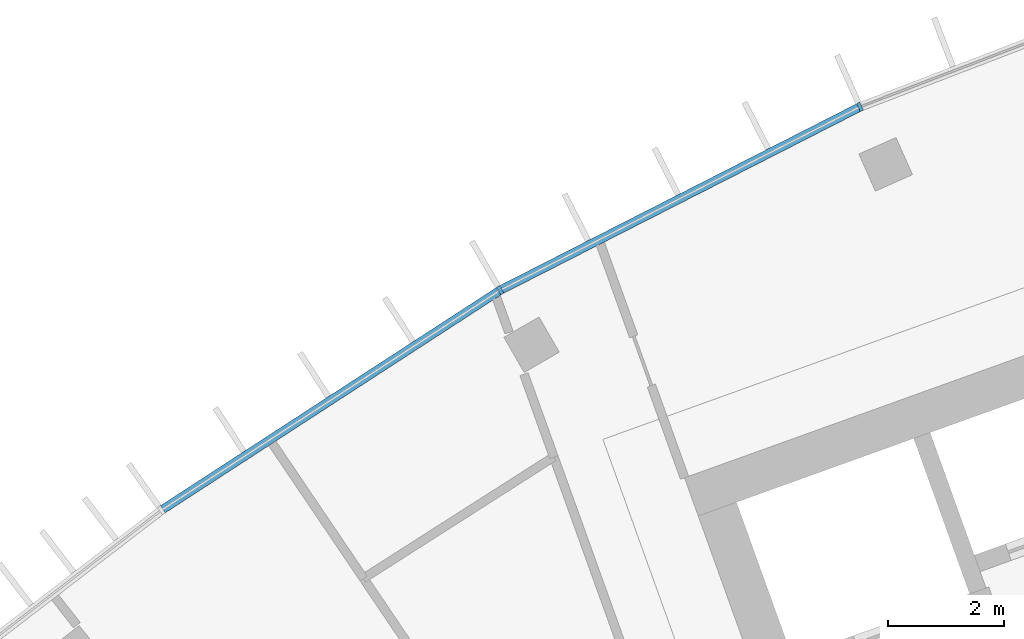
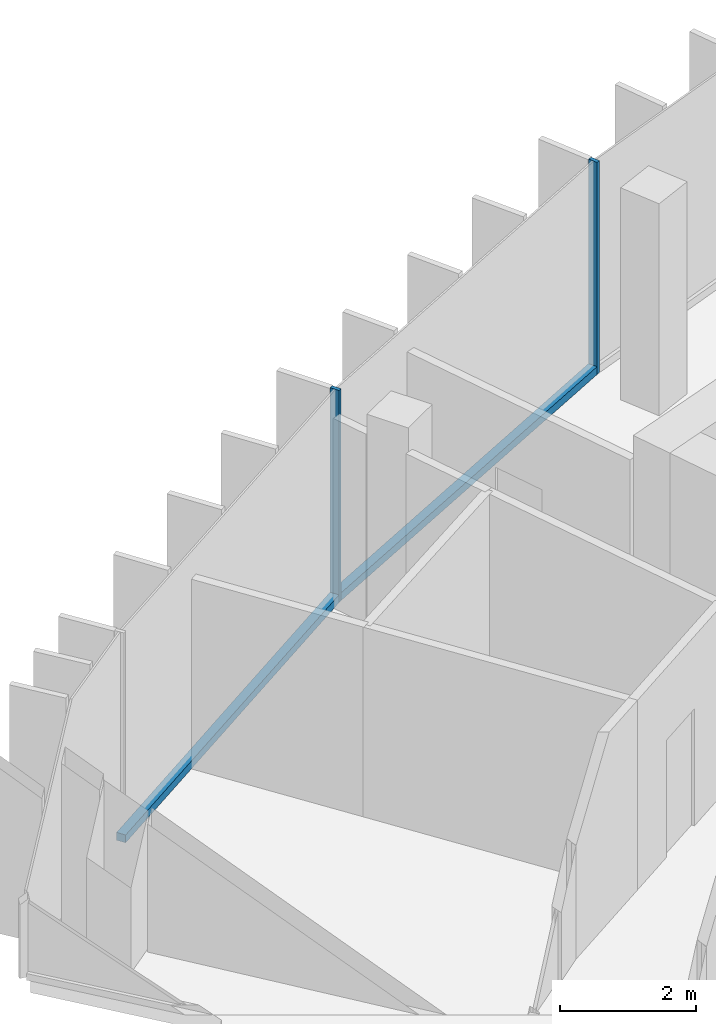
# One storey, part 4 of 19: 4 members, 1 element without a shape of its own.
"""IFC4 building model written with IfcOpenShell, lengths in metres."""

import ifcopenshell
import ifcopenshell.guid

model = None  # the IFC model being written
_history = None  # IfcOwnerHistory: only IFC2X3 demands one
_inside = {}  # id of a spatial element -> (the spatial element, [elements in it])
_under = {}  # id of a project, library or spatial element -> (it, [spatial elements below it])
_declared = {}  # id of a project -> (the project, [libraries it declares])
_typed = {}  # id of a type object -> (the type object, [elements of that type])
_made_of = {}  # id of a material, layer set ... -> (it, [elements and type objects made of it])


def new_model(schema):
    """Start an empty IFC model of exactly this schema.

    Asked for "IFC4X3", IfcOpenShell would pick the latest addendum, in which some entities
    have other attributes; the version numbers below select the first issue.
    IFC2X3 requires an IfcOwnerHistory on every rooted entity: one is made here for all.
    """
    global model, _history
    if schema == "IFC4X3":
        model = ifcopenshell.file(schema_version=(4, 3, 0, 0))
    else:
        model = ifcopenshell.file(schema=schema)
    _inside.clear()
    _under.clear()
    _declared.clear()
    _typed.clear()
    _made_of.clear()
    _history = None
    if model.schema == "IFC2X3":
        org = make("IfcOrganization", Name="unknown")
        user = make(
            "IfcPersonAndOrganization",
            ThePerson=make("IfcPerson", FamilyName="unknown"),
            TheOrganization=org,
        )
        app = make(
            "IfcApplication",
            ApplicationDeveloper=org,
            Version="unknown",
            ApplicationFullName="unknown",
            ApplicationIdentifier="unknown",
        )
        _history = make(
            "IfcOwnerHistory",
            OwningUser=user,
            OwningApplication=app,
            ChangeAction="ADDED",
            CreationDate=0,
        )
    return model


def make(cls, **values):
    """One entity of the class cls with the attributes given. An attribute that is None is left unset."""
    return model.create_entity(
        cls, **{name: value for name, value in values.items() if value is not None}
    )


def rooted(cls, **values):
    """An entity with a GlobalId (a new one), such as an element, a storey or a relation."""
    return make(cls, GlobalId=ifcopenshell.guid.new(), OwnerHistory=_history, **values)


def si_unit(unit_type, name, prefix=None):
    """IfcSIUnit, for example si_unit("LENGTHUNIT", "METRE", prefix="MILLI")."""
    return make("IfcSIUnit", UnitType=unit_type, Prefix=prefix, Name=name)


def assignment(units):
    """IfcUnitAssignment: the units of a project."""
    return None if units is None else make("IfcUnitAssignment", Units=units)


def point(xyz):
    """IfcCartesianPoint."""
    return None if xyz is None else make("IfcCartesianPoint", Coordinates=xyz)


def direction(xyz):
    """IfcDirection."""
    return None if xyz is None else make("IfcDirection", DirectionRatios=xyz)


def frame(location, z_axis=None, x_axis=None):
    """IfcAxis2Placement3D, a coordinate frame: its origin and axes. An axis left out is left unset."""
    return make(
        "IfcAxis2Placement3D",
        Location=point(location),
        Axis=direction(z_axis),
        RefDirection=direction(x_axis),
    )


def frame_2d(location, x_axis=None):
    """IfcAxis2Placement2D, a coordinate frame in the plane: its origin and x axis."""
    return make(
        "IfcAxis2Placement2D", Location=point(location), RefDirection=direction(x_axis)
    )


def origin():
    """The frame at (0, 0, 0) with its axes left unset."""
    return frame((0.0, 0.0, 0.0))


def origin_2d():
    """The frame at (0, 0) in the plane with its x axis left unset."""
    return frame_2d((0.0, 0.0))


def place(relative_to, where):
    """IfcLocalPlacement: puts the frame where relative to a parent placement (None: the world)."""
    return make(
        "IfcLocalPlacement", PlacementRelTo=relative_to, RelativePlacement=where
    )


def context(
    kind, dimensions, precision=None, world=None, true_north=None, identifier=None
):
    """IfcGeometricRepresentationContext, for example the 3D "Model" context."""
    return make(
        "IfcGeometricRepresentationContext",
        ContextIdentifier=identifier,
        ContextType=kind,
        CoordinateSpaceDimension=dimensions,
        Precision=precision,
        WorldCoordinateSystem=world,
        TrueNorth=true_north,
    )


def subcontext(parent, identifier, kind, view, scale=None):
    """IfcGeometricRepresentationSubContext, for example "Body" below "Model"."""
    return make(
        "IfcGeometricRepresentationSubContext",
        ContextIdentifier=identifier,
        ContextType=kind,
        ParentContext=parent,
        TargetScale=scale,
        TargetView=view,
    )


def project(units=None, contexts=None):
    """IfcProject with its units and contexts."""
    return rooted(
        "IfcProject",
        Name="project",
        RepresentationContexts=contexts,
        UnitsInContext=assignment(units),
    )


def spatial(cls, under=None, at=None, **own):
    """A site, building, storey or space (cls), placed at a placement, below another one or the project."""
    s = rooted(cls, ObjectPlacement=at, **own)
    if under is not None:
        _under.setdefault(under.id(), (under, []))[1].append(s)
    return s


def profile(cls, at=None, kind="AREA", **sizes):
    """A parametric profile (cls). Its sizes go by their IFC names, for example OverallWidth=200.0."""
    return make(cls, ProfileType=kind, Position=at, **sizes)


def rectangle(**sizes):
    """IfcRectangleProfileDef."""
    return profile("IfcRectangleProfileDef", **sizes)


def extrude(swept, where, along, depth):
    """IfcExtrudedAreaSolid: the profile swept, set in the frame where, extruded along a direction by depth."""
    return make(
        "IfcExtrudedAreaSolid",
        SweptArea=swept,
        Position=where,
        ExtrudedDirection=direction(along),
        Depth=depth,
    )


def shape(context_of_items, identifier, shape_type, items):
    """IfcShapeRepresentation: the items that make up one representation, for example the "Body"."""
    return make(
        "IfcShapeRepresentation",
        ContextOfItems=context_of_items,
        RepresentationIdentifier=identifier,
        RepresentationType=shape_type,
        Items=items,
    )


def material(Name=None, Category=None):
    """IfcMaterial."""
    return make("IfcMaterial", Name=Name, Category=Category)


def layer(
    of_material, thickness, ventilated=None, Name=None, Category=None, Priority=None
):
    """IfcMaterialLayer: one layer of a wall or slab, of a material (None: an air gap)."""
    return make(
        "IfcMaterialLayer",
        Material=of_material,
        LayerThickness=thickness,
        IsVentilated=ventilated,
        Name=Name,
        Category=Category,
        Priority=Priority,
    )


def layer_set(layers, Name=None):
    """IfcMaterialLayerSet."""
    return make("IfcMaterialLayerSet", MaterialLayers=layers, LayerSetName=Name)


def material_profile(
    of_material, cross_section, Name=None, Category=None, Priority=None
):
    """IfcMaterialProfile: a cross section and its material."""
    return make(
        "IfcMaterialProfile",
        Name=Name,
        Material=of_material,
        Profile=cross_section,
        Priority=Priority,
        Category=Category,
    )


def profile_set(profiles, Name=None, composite=None):
    """IfcMaterialProfileSet."""
    return make(
        "IfcMaterialProfileSet",
        Name=Name,
        MaterialProfiles=profiles,
        CompositeProfile=composite,
    )


def made_of(thing, what):
    """Note that an element or type object is made of a material, layer set ...; save() writes the relation."""
    if what is not None:
        _made_of.setdefault(what.id(), (what, []))[1].append(thing)
    return thing


def type_object(cls, material=None, **own):
    """A type object (cls), such as IfcWallType, which elements share."""
    return made_of(rooted(cls, **own), material)


def element(
    cls,
    number,
    at=None,
    inside=None,
    cuts=None,
    type_object=None,
    material=None,
    context=None,
    identifier="Body",
    shape_type=None,
    held_by="IfcProductDefinitionShape",
    body=None,
    shapes=None,
    **own,
):
    """One element of the class cls, such as IfcWall. Its Tag is "e" and its number.

    at: its placement. inside: the storey or other place that contains it. cuts: it is an
    opening in that element (IfcRelVoidsElement). A single representation is given by context,
    identifier, shape_type and body (its items); several are given by shapes. held_by: the class
    of the entity that holds the representations. save() writes the other relations.
    """
    e = rooted(cls, Tag="e%d" % number, ObjectPlacement=at, **own)
    if body is not None:
        shapes = [shape(context, identifier, shape_type, body)]
    if shapes is not None:
        e.Representation = make(held_by, Representations=shapes)
    if inside is not None:
        _inside.setdefault(inside.id(), (inside, []))[1].append(e)
    if cuts is not None:
        rooted(
            "IfcRelVoidsElement", RelatingBuildingElement=cuts, RelatedOpeningElement=e
        )
    if type_object is not None:
        _typed.setdefault(type_object.id(), (type_object, []))[1].append(e)
    return made_of(e, material)


def aggregate(whole, parts):
    """IfcRelAggregates: a whole, such as a stair, and the parts it consists of."""
    return rooted("IfcRelAggregates", RelatingObject=whole, RelatedObjects=parts)


def save(model, path):
    """Write the relations noted so far, then the file.

    IfcRelAggregates (storeys below a building ...), IfcRelContainedInSpatialStructure (elements
    in a storey), IfcRelDefinesByType, IfcRelAssociatesMaterial and IfcRelDeclares: one each for
    every whole, place, type object, material and project.
    """
    for whole, parts in _under.values():
        aggregate(whole, parts)
    for where, things in _inside.values():
        rooted(
            "IfcRelContainedInSpatialStructure",
            RelatedElements=things,
            RelatingStructure=where,
        )
    for kind, things in _typed.values():
        rooted("IfcRelDefinesByType", RelatedObjects=things, RelatingType=kind)
    for what, things in _made_of.values():
        rooted("IfcRelAssociatesMaterial", RelatedObjects=things, RelatingMaterial=what)
    for by, libraries in _declared.values():
        rooted("IfcRelDeclares", RelatingContext=by, RelatedDefinitions=libraries)
    model.write(path)


model = new_model("IFC4")

# Units and contexts
model_context = context("Model", 3, precision=1e-05, world=origin(), true_north=direction((0.0, 1.0)))
body_context = subcontext(model_context, "Body", "Model", "MODEL_VIEW")
ifc_project = project(units=[si_unit("LENGTHUNIT", "METRE"), si_unit("AREAUNIT", "SQUARE_METRE"), si_unit("VOLUMEUNIT", "CUBIC_METRE"), si_unit("PLANEANGLEUNIT", "RADIAN"), si_unit("MASSUNIT", "GRAM", prefix="KILO")], contexts=[model_context])

# Site, building, storey
site_placement = place(None, origin())
site = spatial("IfcSite", under=ifc_project, at=site_placement, CompositionType="ELEMENT")
building_placement = place(site_placement, origin())
building = spatial("IfcBuilding", under=site, at=building_placement, Name="Stone Belt Terrace Tower", CompositionType="ELEMENT")
storey_placement = place(building_placement, frame((0.0, 0.0, 303.60009765625)))
storey = spatial("IfcBuildingStorey", under=building, at=storey_placement, Name="L74", CompositionType="ELEMENT", Elevation=303.60009765625)

# Curtain wall, members
ifc_material = material(Name="Aluminium 6063-T6 anodised frame", Category="aluminium")
ifc_layer = layer(ifc_material, 0.14990234375)
ifc_layer_set = layer_set([ifc_layer], Name="CW-A unitised convex-face curtain wall")
curtain_wall_type = type_object("IfcCurtainWallType", Name="CW-A unitised convex-face curtain wall", PredefinedType="NOTDEFINED", material=ifc_layer_set)
curtain_wall_placement = place(storey_placement, origin())
curtain_wall = element("IfcCurtainWall", 1, at=curtain_wall_placement, inside=storey, type_object=curtain_wall_type, Name="CW-A convex face L74", PredefinedType="NOTDEFINED")
ifc_material_profile_1 = material_profile(ifc_material, rectangle(XDim=0.14990234375, YDim=0.06005859375, at=origin_2d()), Name="Aluminium 6063-T6 60x150")
ifc_profile_set_1 = profile_set([ifc_material_profile_1], Name="Aluminium 6063-T6 anodised frame")
member_type_1 = type_object("IfcMemberType", Name="CW-A mullion 60 x 150", PredefinedType="MULLION", material=ifc_profile_set_1)
member_1_placement = place(storey_placement, frame((-27.07861328125, 60.8193359375, 0.0), z_axis=(0.0, 0.0, 1.0), x_axis=(0.406736643076, -0.913545457643, 0.0)))
member_1 = element("IfcMember", 2, at=member_1_placement, type_object=member_type_1, Name="CW-A mullion 12", PredefinedType="MULLION", context=body_context, shape_type="SweptSolid", body=[
    extrude(rectangle(XDim=0.14990234375, YDim=0.06005859375, at=origin_2d()), origin(), (0.0, 0.0, 1.0), 3.7998046875),
])
member_2_placement = place(storey_placement, frame((-33.28759765625, 57.65576171875, 0.0), z_axis=(0.0, 0.0, 1.0), x_axis=(0.5, -0.866025403784, 0.0)))
member_2 = element("IfcMember", 3, at=member_2_placement, type_object=member_type_1, Name="CW-A mullion 13", PredefinedType="MULLION", context=body_context, shape_type="SweptSolid", body=[
    extrude(rectangle(XDim=0.14990234375, YDim=0.06005859375, at=origin_2d()), origin(), (0.0, 0.0, 1.0), 3.7998046875),
])
ifc_material_profile_2 = material_profile(ifc_material, rectangle(XDim=0.14990234375, YDim=0.139892578125, at=origin_2d()), Name="Aluminium 6063-T6 150x140")
ifc_profile_set_2 = profile_set([ifc_material_profile_2], Name="Aluminium 6063-T6 anodised frame")
member_type_2 = type_object("IfcMemberType", Name="CW-A transom 140 x 150", PredefinedType="USERDEFINED", material=ifc_profile_set_2)
member_3_placement = place(storey_placement, frame((-27.108642578125, 60.803955078125, 0.06982421875), z_axis=(-0.891012226264, -0.453979308613, 0.0), x_axis=(0.453979308613, -0.891012226264, 0.0)))
member_3 = element("IfcMember", 4, at=member_3_placement, type_object=member_type_2, Name="CW-A transom 12.1", ObjectType="TRANSOM", PredefinedType="USERDEFINED", context=body_context, shape_type="SweptSolid", body=[
    extrude(rectangle(XDim=0.14990234375, YDim=0.139892578125, at=origin_2d()), origin(), (0.0, 0.0, 1.0), 6.90087890625),
])
member_4_placement = place(storey_placement, frame((-33.31591796875, 57.63720703125, 0.06982421875), z_axis=(-0.83868440714, -0.544617723931, 0.0), x_axis=(0.544617723931, -0.83868440714, 0.0)))
member_4 = element("IfcMember", 5, at=member_4_placement, type_object=member_type_2, Name="CW-A transom 13.1", ObjectType="TRANSOM", PredefinedType="USERDEFINED", context=body_context, shape_type="SweptSolid", body=[
    extrude(rectangle(XDim=0.14990234375, YDim=0.139892578125, at=origin_2d()), origin(), (0.0, 0.0, 1.0), 6.90087890625),
])
aggregate(curtain_wall, [member_1, member_2, member_3, member_4])

save(model, "model.ifc")
